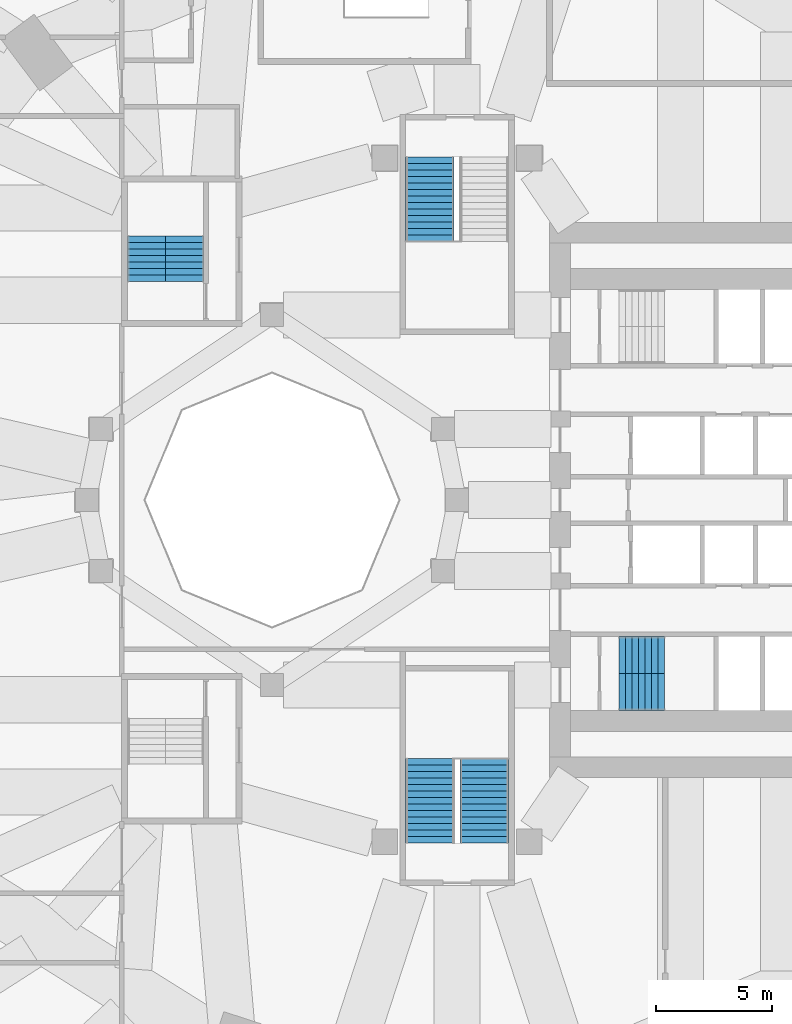
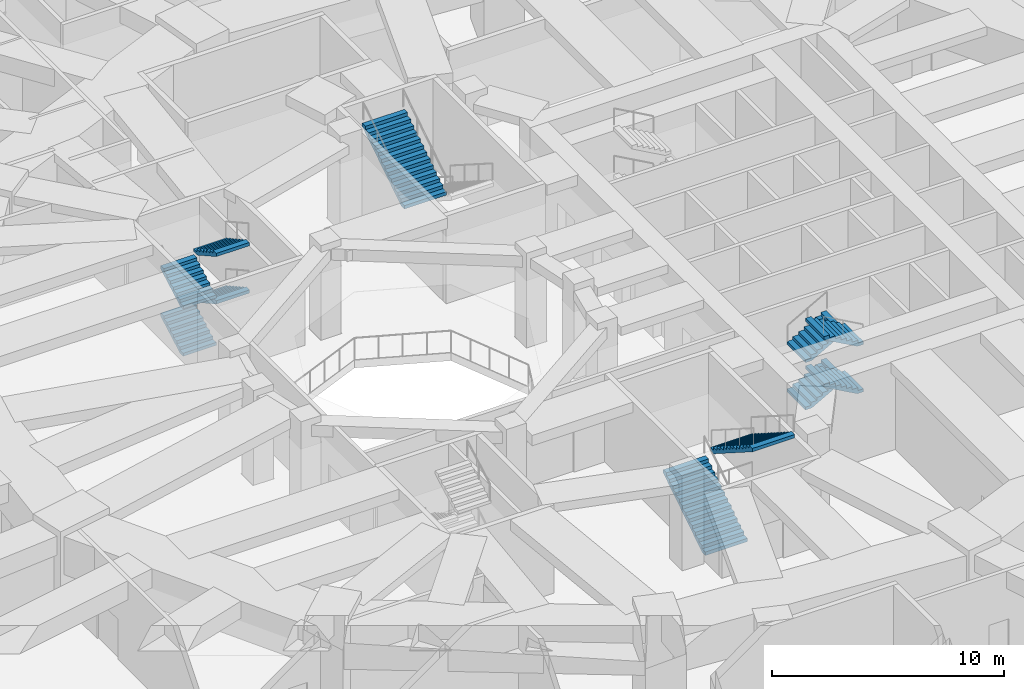
# One storey, part 25 of 30: 11 stair flights, 4 elements without a shape of their own.
"""IFC4 building model written with IfcOpenShell, lengths in metres."""

import ifcopenshell
import ifcopenshell.guid

model = None  # the IFC model being written
_history = None  # IfcOwnerHistory: only IFC2X3 demands one
_inside = {}  # id of a spatial element -> (the spatial element, [elements in it])
_under = {}  # id of a project, library or spatial element -> (it, [spatial elements below it])
_declared = {}  # id of a project -> (the project, [libraries it declares])
_typed = {}  # id of a type object -> (the type object, [elements of that type])
_made_of = {}  # id of a material, layer set ... -> (it, [elements and type objects made of it])


def new_model(schema):
    """Start an empty IFC model of exactly this schema.

    Asked for "IFC4X3", IfcOpenShell would pick the latest addendum, in which some entities
    have other attributes; the version numbers below select the first issue.
    IFC2X3 requires an IfcOwnerHistory on every rooted entity: one is made here for all.
    """
    global model, _history
    if schema == "IFC4X3":
        model = ifcopenshell.file(schema_version=(4, 3, 0, 0))
    else:
        model = ifcopenshell.file(schema=schema)
    _inside.clear()
    _under.clear()
    _declared.clear()
    _typed.clear()
    _made_of.clear()
    _history = None
    if model.schema == "IFC2X3":
        org = make("IfcOrganization", Name="unknown")
        user = make(
            "IfcPersonAndOrganization",
            ThePerson=make("IfcPerson", FamilyName="unknown"),
            TheOrganization=org,
        )
        app = make(
            "IfcApplication",
            ApplicationDeveloper=org,
            Version="unknown",
            ApplicationFullName="unknown",
            ApplicationIdentifier="unknown",
        )
        _history = make(
            "IfcOwnerHistory",
            OwningUser=user,
            OwningApplication=app,
            ChangeAction="ADDED",
            CreationDate=0,
        )
    return model


def make(cls, **values):
    """One entity of the class cls with the attributes given. An attribute that is None is left unset."""
    return model.create_entity(
        cls, **{name: value for name, value in values.items() if value is not None}
    )


def rooted(cls, **values):
    """An entity with a GlobalId (a new one), such as an element, a storey or a relation."""
    return make(cls, GlobalId=ifcopenshell.guid.new(), OwnerHistory=_history, **values)


def si_unit(unit_type, name, prefix=None):
    """IfcSIUnit, for example si_unit("LENGTHUNIT", "METRE", prefix="MILLI")."""
    return make("IfcSIUnit", UnitType=unit_type, Prefix=prefix, Name=name)


def assignment(units):
    """IfcUnitAssignment: the units of a project."""
    return None if units is None else make("IfcUnitAssignment", Units=units)


def point(xyz):
    """IfcCartesianPoint."""
    return None if xyz is None else make("IfcCartesianPoint", Coordinates=xyz)


def direction(xyz):
    """IfcDirection."""
    return None if xyz is None else make("IfcDirection", DirectionRatios=xyz)


def frame(location, z_axis=None, x_axis=None):
    """IfcAxis2Placement3D, a coordinate frame: its origin and axes. An axis left out is left unset."""
    return make(
        "IfcAxis2Placement3D",
        Location=point(location),
        Axis=direction(z_axis),
        RefDirection=direction(x_axis),
    )


def origin():
    """The frame at (0, 0, 0) with its axes left unset."""
    return frame((0.0, 0.0, 0.0))


def place(relative_to, where):
    """IfcLocalPlacement: puts the frame where relative to a parent placement (None: the world)."""
    return make(
        "IfcLocalPlacement", PlacementRelTo=relative_to, RelativePlacement=where
    )


def context(
    kind, dimensions, precision=None, world=None, true_north=None, identifier=None
):
    """IfcGeometricRepresentationContext, for example the 3D "Model" context."""
    return make(
        "IfcGeometricRepresentationContext",
        ContextIdentifier=identifier,
        ContextType=kind,
        CoordinateSpaceDimension=dimensions,
        Precision=precision,
        WorldCoordinateSystem=world,
        TrueNorth=true_north,
    )


def subcontext(parent, identifier, kind, view, scale=None):
    """IfcGeometricRepresentationSubContext, for example "Body" below "Model"."""
    return make(
        "IfcGeometricRepresentationSubContext",
        ContextIdentifier=identifier,
        ContextType=kind,
        ParentContext=parent,
        TargetScale=scale,
        TargetView=view,
    )


def project(units=None, contexts=None):
    """IfcProject with its units and contexts."""
    return rooted(
        "IfcProject",
        Name="project",
        RepresentationContexts=contexts,
        UnitsInContext=assignment(units),
    )


def spatial(cls, under=None, at=None, **own):
    """A site, building, storey or space (cls), placed at a placement, below another one or the project."""
    s = rooted(cls, ObjectPlacement=at, **own)
    if under is not None:
        _under.setdefault(under.id(), (under, []))[1].append(s)
    return s


def polyline(points):
    """IfcPolyline through the points."""
    return make("IfcPolyline", Points=[point(p) for p in points])


def outline(outer, holes=None, kind="AREA"):
    """IfcArbitraryClosedProfileDef: a profile drawn as a closed curve; with holes, ...WithVoids."""
    if holes is None:
        return make("IfcArbitraryClosedProfileDef", ProfileType=kind, OuterCurve=outer)
    return make(
        "IfcArbitraryProfileDefWithVoids",
        ProfileType=kind,
        OuterCurve=outer,
        InnerCurves=holes,
    )


def extrude(swept, where, along, depth):
    """IfcExtrudedAreaSolid: the profile swept, set in the frame where, extruded along a direction by depth."""
    return make(
        "IfcExtrudedAreaSolid",
        SweptArea=swept,
        Position=where,
        ExtrudedDirection=direction(along),
        Depth=depth,
    )


def shape(context_of_items, identifier, shape_type, items):
    """IfcShapeRepresentation: the items that make up one representation, for example the "Body"."""
    return make(
        "IfcShapeRepresentation",
        ContextOfItems=context_of_items,
        RepresentationIdentifier=identifier,
        RepresentationType=shape_type,
        Items=items,
    )


def material(Name=None, Category=None):
    """IfcMaterial."""
    return make("IfcMaterial", Name=Name, Category=Category)


def made_of(thing, what):
    """Note that an element or type object is made of a material, layer set ...; save() writes the relation."""
    if what is not None:
        _made_of.setdefault(what.id(), (what, []))[1].append(thing)
    return thing


def type_object(cls, material=None, **own):
    """A type object (cls), such as IfcWallType, which elements share."""
    return made_of(rooted(cls, **own), material)


def element(
    cls,
    number,
    at=None,
    inside=None,
    cuts=None,
    type_object=None,
    material=None,
    context=None,
    identifier="Body",
    shape_type=None,
    held_by="IfcProductDefinitionShape",
    body=None,
    shapes=None,
    **own,
):
    """One element of the class cls, such as IfcWall. Its Tag is "e" and its number.

    at: its placement. inside: the storey or other place that contains it. cuts: it is an
    opening in that element (IfcRelVoidsElement). A single representation is given by context,
    identifier, shape_type and body (its items); several are given by shapes. held_by: the class
    of the entity that holds the representations. save() writes the other relations.
    """
    e = rooted(cls, Tag="e%d" % number, ObjectPlacement=at, **own)
    if body is not None:
        shapes = [shape(context, identifier, shape_type, body)]
    if shapes is not None:
        e.Representation = make(held_by, Representations=shapes)
    if inside is not None:
        _inside.setdefault(inside.id(), (inside, []))[1].append(e)
    if cuts is not None:
        rooted(
            "IfcRelVoidsElement", RelatingBuildingElement=cuts, RelatedOpeningElement=e
        )
    if type_object is not None:
        _typed.setdefault(type_object.id(), (type_object, []))[1].append(e)
    return made_of(e, material)


def aggregate(whole, parts):
    """IfcRelAggregates: a whole, such as a stair, and the parts it consists of."""
    return rooted("IfcRelAggregates", RelatingObject=whole, RelatedObjects=parts)


def save(model, path):
    """Write the relations noted so far, then the file.

    IfcRelAggregates (storeys below a building ...), IfcRelContainedInSpatialStructure (elements
    in a storey), IfcRelDefinesByType, IfcRelAssociatesMaterial and IfcRelDeclares: one each for
    every whole, place, type object, material and project.
    """
    for whole, parts in _under.values():
        aggregate(whole, parts)
    for where, things in _inside.values():
        rooted(
            "IfcRelContainedInSpatialStructure",
            RelatedElements=things,
            RelatingStructure=where,
        )
    for kind, things in _typed.values():
        rooted("IfcRelDefinesByType", RelatedObjects=things, RelatingType=kind)
    for what, things in _made_of.values():
        rooted("IfcRelAssociatesMaterial", RelatedObjects=things, RelatingMaterial=what)
    for by, libraries in _declared.values():
        rooted("IfcRelDeclares", RelatingContext=by, RelatedDefinitions=libraries)
    model.write(path)


model = new_model("IFC4")

# Units and contexts
model_context = context("Model", 3, precision=1e-05, world=origin(), true_north=direction((0.0, 1.0)))
body_context = subcontext(model_context, "Body", "Model", "MODEL_VIEW")
ifc_project = project(units=[si_unit("LENGTHUNIT", "METRE"), si_unit("AREAUNIT", "SQUARE_METRE"), si_unit("VOLUMEUNIT", "CUBIC_METRE"), si_unit("PLANEANGLEUNIT", "RADIAN"), si_unit("MASSUNIT", "GRAM", prefix="KILO")], contexts=[model_context])

# Site, building, storey
site_placement = place(None, origin())
site = spatial("IfcSite", under=ifc_project, at=site_placement, CompositionType="ELEMENT")
building_placement = place(site_placement, origin())
building = spatial("IfcBuilding", under=site, at=building_placement, Name="Taillehof Tower", CompositionType="ELEMENT")
storey_placement = place(building_placement, frame((0.0, 0.0, 12.5)))
storey = spatial("IfcBuildingStorey", under=building, at=storey_placement, Name="L02", CompositionType="ELEMENT", Elevation=12.5)

# Stair, stair flights
ifc_material_1 = material(Name="Concrete C40/50", Category="concrete")
stair_type_1 = type_object("IfcStairType", Name="Exit stair half-turn", PredefinedType="HALF_TURN_STAIR", material=ifc_material_1)
stair_1_placement = place(storey_placement, origin())
stair_1 = element("IfcStair", 1, at=stair_1_placement, inside=storey, type_object=stair_type_1, Name="Exit stair S2", PredefinedType="HALF_TURN_STAIR")
ifc_material_2 = material(Name="Concrete C40/50", Category="concrete")
stair_flight_type_1 = type_object("IfcStairFlightType", Name="Stair flight 1600 riser 156.2 going 280", PredefinedType="STRAIGHT", material=ifc_material_2)
stair_flight_1_placement = place(storey_placement, frame((7.0, -6.699951171875, 0.0), z_axis=(0.0, 0.0, 1.0), x_axis=(1.0, 0.0, 0.0)))
stair_flight_1 = element("IfcStairFlight", 2, at=stair_flight_1_placement, type_object=stair_flight_type_1, Name="S2 flight 1", NumberOfRisers=8, NumberOfTreads=7, PredefinedType="STRAIGHT", RiserHeight=0.15625, TreadLength=0.28, context=body_context, shape_type="SweptSolid", body=[
    extrude(outline(polyline([(0.0, 0.0), (0.0, 0.00634765625), (0.0, 0.012451171875), (0.0, 0.018798828125), (0.0, 0.02490234375), (0.0, 0.03125), (0.0, 0.03759765625), (0.0, 0.043701171875), (0.0, 0.050048828125), (0.0, 0.05615234375), (0.0, 0.0625), (0.0, 0.06884765625), (0.0, 0.074951171875), (0.0, 0.081298828125), (0.0, 0.08740234375), (0.0, 0.09375), (0.0, 0.10009765625), (0.0, 0.106201171875), (0.0, 0.112548828125), (0.0, 0.11865234375), (0.0, 0.125), (0.0, 0.13134765625), (0.0, 0.137451171875), (0.0, 0.143798828125), (0.0, 0.14990234375), (0.0, 0.15625), (0.280029296875, 0.15625), (0.280029296875, 0.3125), (0.56005859375, 0.3125), (0.56005859375, 0.46875), (0.840087890625, 0.46875), (0.840087890625, 0.625), (1.1201171875, 0.625), (1.1201171875, 0.78125), (1.39990234375, 0.78125), (1.39990234375, 0.9375), (1.679931640625, 0.9375), (1.679931640625, 1.09375), (1.9599609375, 1.09375), (1.9599609375, 1.0869140625), (1.9599609375, 1.080078125), (1.9599609375, 1.0732421875), (1.9599609375, 1.066162109375), (1.9599609375, 1.059326171875), (1.9599609375, 1.052490234375), (1.9599609375, 1.045654296875), (1.9599609375, 1.038818359375), (1.9599609375, 1.031982421875), (1.9599609375, 1.025146484375), (1.9599609375, 1.018310546875), (1.9599609375, 1.01123046875), (1.9599609375, 1.00439453125), (1.9599609375, 0.99755859375), (1.9599609375, 0.99072265625), (1.9599609375, 0.98388671875), (1.9599609375, 0.97705078125), (1.9599609375, 0.97021484375), (1.9599609375, 0.96337890625), (1.9599609375, 0.956298828125), (1.9599609375, 0.949462890625), (1.9599609375, 0.942626953125), (1.9599609375, 0.935791015625), (1.9599609375, 0.928955078125), (1.9599609375, 0.922119140625), (0.3076171875, 0.0), (0.0, 0.0)])), frame((0.0, 0.800048828125, 0.0), z_axis=(0.0, -1.0, 0.0), x_axis=(1.0, 0.0, 0.0)), (0.0, 0.0, 1.0), 1.6),
])
stair_flight_2_placement = place(storey_placement, frame((8.9599609375, -8.300048828125, 1.25), z_axis=(0.0, 0.0, 1.0), x_axis=(-1.0, 0.0, 0.0)))
stair_flight_2 = element("IfcStairFlight", 3, at=stair_flight_2_placement, type_object=stair_flight_type_1, Name="S2 flight 2", NumberOfRisers=8, NumberOfTreads=7, PredefinedType="STRAIGHT", RiserHeight=0.15625, TreadLength=0.28, context=body_context, shape_type="SweptSolid", body=[
    extrude(outline(polyline([(0.0, 0.0), (0.0, 0.00634765625), (0.0, 0.012451171875), (0.0, 0.018798828125), (0.0, 0.02490234375), (0.0, 0.03125), (0.0, 0.03759765625), (0.0, 0.043701171875), (0.0, 0.050048828125), (0.0, 0.05615234375), (0.0, 0.0625), (0.0, 0.06884765625), (0.0, 0.074951171875), (0.0, 0.081298828125), (0.0, 0.08740234375), (0.0, 0.09375), (0.0, 0.10009765625), (0.0, 0.106201171875), (0.0, 0.112548828125), (0.0, 0.11865234375), (0.0, 0.125), (0.0, 0.13134765625), (0.0, 0.137451171875), (0.0, 0.143798828125), (0.0, 0.14990234375), (0.0, 0.15625), (0.280029296875, 0.15625), (0.280029296875, 0.3125), (0.56005859375, 0.3125), (0.56005859375, 0.46875), (0.840087890625, 0.46875), (0.840087890625, 0.625), (1.1201171875, 0.625), (1.1201171875, 0.78125), (1.39990234375, 0.78125), (1.39990234375, 0.9375), (1.679931640625, 0.9375), (1.679931640625, 1.09375), (1.9599609375, 1.09375), (1.9599609375, 1.0869140625), (1.9599609375, 1.080078125), (1.9599609375, 1.0732421875), (1.9599609375, 1.066162109375), (1.9599609375, 1.059326171875), (1.9599609375, 1.052490234375), (1.9599609375, 1.045654296875), (1.9599609375, 1.038818359375), (1.9599609375, 1.031982421875), (1.9599609375, 1.025146484375), (1.9599609375, 1.018310546875), (1.9599609375, 1.01123046875), (1.9599609375, 1.00439453125), (1.9599609375, 0.99755859375), (1.9599609375, 0.99072265625), (1.9599609375, 0.98388671875), (1.9599609375, 0.97705078125), (1.9599609375, 0.97021484375), (1.9599609375, 0.96337890625), (1.9599609375, 0.956298828125), (1.9599609375, 0.949462890625), (1.9599609375, 0.942626953125), (1.9599609375, 0.935791015625), (1.9599609375, 0.928955078125), (1.9599609375, 0.922119140625), (0.3076171875, 0.0), (0.0, 0.0)])), frame((0.0, 0.800048828125, 0.0), z_axis=(0.0, -1.0, 0.0), x_axis=(1.0, 0.0, 0.0)), (0.0, 0.0, 1.0), 1.6),
])
stair_flight_3_placement = place(storey_placement, frame((7.0, -6.699951171875, 2.5), z_axis=(0.0, 0.0, 1.0), x_axis=(1.0, 0.0, 0.0)))
stair_flight_3 = element("IfcStairFlight", 4, at=stair_flight_3_placement, type_object=stair_flight_type_1, Name="S2 flight 3", NumberOfRisers=8, NumberOfTreads=7, PredefinedType="STRAIGHT", RiserHeight=0.15625, TreadLength=0.28, context=body_context, shape_type="SweptSolid", body=[
    extrude(outline(polyline([(0.0, 0.0), (0.0, 0.00634765625), (0.0, 0.012451171875), (0.0, 0.018798828125), (0.0, 0.02490234375), (0.0, 0.03125), (0.0, 0.03759765625), (0.0, 0.043701171875), (0.0, 0.050048828125), (0.0, 0.05615234375), (0.0, 0.0625), (0.0, 0.06884765625), (0.0, 0.074951171875), (0.0, 0.081298828125), (0.0, 0.08740234375), (0.0, 0.09375), (0.0, 0.10009765625), (0.0, 0.106201171875), (0.0, 0.112548828125), (0.0, 0.11865234375), (0.0, 0.125), (0.0, 0.13134765625), (0.0, 0.137451171875), (0.0, 0.143798828125), (0.0, 0.14990234375), (0.0, 0.15625), (0.280029296875, 0.15625), (0.280029296875, 0.3125), (0.56005859375, 0.3125), (0.56005859375, 0.46875), (0.840087890625, 0.46875), (0.840087890625, 0.625), (1.1201171875, 0.625), (1.1201171875, 0.78125), (1.39990234375, 0.78125), (1.39990234375, 0.9375), (1.679931640625, 0.9375), (1.679931640625, 1.09375), (1.9599609375, 1.09375), (1.9599609375, 1.0869140625), (1.9599609375, 1.080078125), (1.9599609375, 1.0732421875), (1.9599609375, 1.066162109375), (1.9599609375, 1.059326171875), (1.9599609375, 1.052490234375), (1.9599609375, 1.045654296875), (1.9599609375, 1.038818359375), (1.9599609375, 1.031982421875), (1.9599609375, 1.025146484375), (1.9599609375, 1.018310546875), (1.9599609375, 1.01123046875), (1.9599609375, 1.00439453125), (1.9599609375, 0.99755859375), (1.9599609375, 0.99072265625), (1.9599609375, 0.98388671875), (1.9599609375, 0.97705078125), (1.9599609375, 0.97021484375), (1.9599609375, 0.96337890625), (1.9599609375, 0.956298828125), (1.9599609375, 0.949462890625), (1.9599609375, 0.942626953125), (1.9599609375, 0.935791015625), (1.9599609375, 0.928955078125), (1.9599609375, 0.922119140625), (0.3076171875, 0.0), (0.0, 0.0)])), frame((0.0, 0.800048828125, 0.0), z_axis=(0.0, -1.0, 0.0), x_axis=(1.0, 0.0, 0.0)), (0.0, 0.0, 1.0), 1.6),
])
stair_flight_4_placement = place(storey_placement, frame((8.9599609375, -8.300048828125, 3.75), z_axis=(0.0, 0.0, 1.0), x_axis=(-1.0, 0.0, 0.0)))
stair_flight_4 = element("IfcStairFlight", 5, at=stair_flight_4_placement, type_object=stair_flight_type_1, Name="S2 flight 4", NumberOfRisers=8, NumberOfTreads=7, PredefinedType="STRAIGHT", RiserHeight=0.15625, TreadLength=0.28, context=body_context, shape_type="SweptSolid", body=[
    extrude(outline(polyline([(0.0, 0.0), (0.0, 0.00634765625), (0.0, 0.012451171875), (0.0, 0.018798828125), (0.0, 0.02490234375), (0.0, 0.03125), (0.0, 0.03759765625), (0.0, 0.043701171875), (0.0, 0.050048828125), (0.0, 0.05615234375), (0.0, 0.0625), (0.0, 0.06884765625), (0.0, 0.074951171875), (0.0, 0.081298828125), (0.0, 0.08740234375), (0.0, 0.09375), (0.0, 0.10009765625), (0.0, 0.106201171875), (0.0, 0.112548828125), (0.0, 0.11865234375), (0.0, 0.125), (0.0, 0.13134765625), (0.0, 0.137451171875), (0.0, 0.143798828125), (0.0, 0.14990234375), (0.0, 0.15625), (0.280029296875, 0.15625), (0.280029296875, 0.3125), (0.56005859375, 0.3125), (0.56005859375, 0.46875), (0.840087890625, 0.46875), (0.840087890625, 0.625), (1.1201171875, 0.625), (1.1201171875, 0.78125), (1.39990234375, 0.78125), (1.39990234375, 0.9375), (1.679931640625, 0.9375), (1.679931640625, 1.09375), (1.9599609375, 1.09375), (1.9599609375, 1.0869140625), (1.9599609375, 1.080078125), (1.9599609375, 1.0732421875), (1.9599609375, 1.066162109375), (1.9599609375, 1.059326171875), (1.9599609375, 1.052490234375), (1.9599609375, 1.045654296875), (1.9599609375, 1.038818359375), (1.9599609375, 1.031982421875), (1.9599609375, 1.025146484375), (1.9599609375, 1.018310546875), (1.9599609375, 1.01123046875), (1.9599609375, 1.00439453125), (1.9599609375, 0.99755859375), (1.9599609375, 0.99072265625), (1.9599609375, 0.98388671875), (1.9599609375, 0.97705078125), (1.9599609375, 0.97021484375), (1.9599609375, 0.96337890625), (1.9599609375, 0.956298828125), (1.9599609375, 0.949462890625), (1.9599609375, 0.942626953125), (1.9599609375, 0.935791015625), (1.9599609375, 0.928955078125), (1.9599609375, 0.922119140625), (0.3076171875, 0.0), (0.0, 0.0)])), frame((0.0, 0.800048828125, 0.0), z_axis=(0.0, -1.0, 0.0), x_axis=(1.0, 0.0, 0.0)), (0.0, 0.0, 1.0), 1.6),
])
aggregate(stair_1, [stair_flight_1, stair_flight_2, stair_flight_3, stair_flight_4])

stair_2_placement = place(storey_placement, origin())
stair_2 = element("IfcStair", 6, at=stair_2_placement, inside=storey, type_object=stair_type_1, Name="Exit stair S3", PredefinedType="HALF_TURN_STAIR")
ifc_material_3 = material(Name="Concrete C40/50", Category="concrete")
stair_flight_type_2 = type_object("IfcStairFlightType", Name="Stair flight 1650 riser 156.2 going 280", PredefinedType="STRAIGHT", material=ifc_material_3)
stair_flight_5_placement = place(storey_placement, frame((-13.425048828125, 9.449951171875, 0.0), z_axis=(0.0, 0.0, 1.0), x_axis=(0.0, 1.0, 0.0)))
stair_flight_5 = element("IfcStairFlight", 7, at=stair_flight_5_placement, type_object=stair_flight_type_2, Name="S3 flight 1", NumberOfRisers=8, NumberOfTreads=7, PredefinedType="STRAIGHT", RiserHeight=0.15625, TreadLength=0.28, context=body_context, shape_type="SweptSolid", body=[
    extrude(outline(polyline([(0.0, 0.0), (0.0, 0.00634765625), (0.0, 0.012451171875), (0.0, 0.018798828125), (0.0, 0.02490234375), (0.0, 0.03125), (0.0, 0.03759765625), (0.0, 0.043701171875), (0.0, 0.050048828125), (0.0, 0.05615234375), (0.0, 0.0625), (0.0, 0.06884765625), (0.0, 0.074951171875), (0.0, 0.081298828125), (0.0, 0.08740234375), (0.0, 0.09375), (0.0, 0.10009765625), (0.0, 0.106201171875), (0.0, 0.112548828125), (0.0, 0.11865234375), (0.0, 0.125), (0.0, 0.13134765625), (0.0, 0.137451171875), (0.0, 0.143798828125), (0.0, 0.14990234375), (0.0, 0.15625), (0.280029296875, 0.15625), (0.280029296875, 0.3125), (0.56005859375, 0.3125), (0.56005859375, 0.46875), (0.840087890625, 0.46875), (0.840087890625, 0.625), (1.1201171875, 0.625), (1.1201171875, 0.78125), (1.39990234375, 0.78125), (1.39990234375, 0.9375), (1.679931640625, 0.9375), (1.679931640625, 1.09375), (1.9599609375, 1.09375), (1.9599609375, 1.0869140625), (1.9599609375, 1.080078125), (1.9599609375, 1.0732421875), (1.9599609375, 1.066162109375), (1.9599609375, 1.059326171875), (1.9599609375, 1.052490234375), (1.9599609375, 1.045654296875), (1.9599609375, 1.038818359375), (1.9599609375, 1.031982421875), (1.9599609375, 1.025146484375), (1.9599609375, 1.018310546875), (1.9599609375, 1.01123046875), (1.9599609375, 1.00439453125), (1.9599609375, 0.99755859375), (1.9599609375, 0.99072265625), (1.9599609375, 0.98388671875), (1.9599609375, 0.97705078125), (1.9599609375, 0.97021484375), (1.9599609375, 0.96337890625), (1.9599609375, 0.956298828125), (1.9599609375, 0.949462890625), (1.9599609375, 0.942626953125), (1.9599609375, 0.935791015625), (1.9599609375, 0.928955078125), (1.9599609375, 0.922119140625), (0.3076171875, 0.0), (0.0, 0.0)])), frame((0.0, 0.824951171875, 0.0), z_axis=(0.0, -1.0, 0.0), x_axis=(1.0, 0.0, 0.0)), (0.0, 0.0, 1.0), 1.65),
])
stair_flight_6_placement = place(storey_placement, frame((-11.77490234375, 11.409912109375, 1.25), z_axis=(0.0, 0.0, 1.0), x_axis=(0.0, -1.0, 0.0)))
stair_flight_6 = element("IfcStairFlight", 8, at=stair_flight_6_placement, type_object=stair_flight_type_2, Name="S3 flight 2", NumberOfRisers=8, NumberOfTreads=7, PredefinedType="STRAIGHT", RiserHeight=0.15625, TreadLength=0.28, context=body_context, shape_type="SweptSolid", body=[
    extrude(outline(polyline([(0.0, 0.0), (0.0, 0.00634765625), (0.0, 0.012451171875), (0.0, 0.018798828125), (0.0, 0.02490234375), (0.0, 0.03125), (0.0, 0.03759765625), (0.0, 0.043701171875), (0.0, 0.050048828125), (0.0, 0.05615234375), (0.0, 0.0625), (0.0, 0.06884765625), (0.0, 0.074951171875), (0.0, 0.081298828125), (0.0, 0.08740234375), (0.0, 0.09375), (0.0, 0.10009765625), (0.0, 0.106201171875), (0.0, 0.112548828125), (0.0, 0.11865234375), (0.0, 0.125), (0.0, 0.13134765625), (0.0, 0.137451171875), (0.0, 0.143798828125), (0.0, 0.14990234375), (0.0, 0.15625), (0.280029296875, 0.15625), (0.280029296875, 0.3125), (0.56005859375, 0.3125), (0.56005859375, 0.46875), (0.840087890625, 0.46875), (0.840087890625, 0.625), (1.1201171875, 0.625), (1.1201171875, 0.78125), (1.39990234375, 0.78125), (1.39990234375, 0.9375), (1.679931640625, 0.9375), (1.679931640625, 1.09375), (1.9599609375, 1.09375), (1.9599609375, 1.0869140625), (1.9599609375, 1.080078125), (1.9599609375, 1.0732421875), (1.9599609375, 1.066162109375), (1.9599609375, 1.059326171875), (1.9599609375, 1.052490234375), (1.9599609375, 1.045654296875), (1.9599609375, 1.038818359375), (1.9599609375, 1.031982421875), (1.9599609375, 1.025146484375), (1.9599609375, 1.018310546875), (1.9599609375, 1.01123046875), (1.9599609375, 1.00439453125), (1.9599609375, 0.99755859375), (1.9599609375, 0.99072265625), (1.9599609375, 0.98388671875), (1.9599609375, 0.97705078125), (1.9599609375, 0.97021484375), (1.9599609375, 0.96337890625), (1.9599609375, 0.956298828125), (1.9599609375, 0.949462890625), (1.9599609375, 0.942626953125), (1.9599609375, 0.935791015625), (1.9599609375, 0.928955078125), (1.9599609375, 0.922119140625), (0.3076171875, 0.0), (0.0, 0.0)])), frame((0.0, 0.824951171875, 0.0), z_axis=(0.0, -1.0, 0.0), x_axis=(1.0, 0.0, 0.0)), (0.0, 0.0, 1.0), 1.65),
])
stair_flight_7_placement = place(storey_placement, frame((-13.425048828125, 9.449951171875, 2.5), z_axis=(0.0, 0.0, 1.0), x_axis=(0.0, 1.0, 0.0)))
stair_flight_7 = element("IfcStairFlight", 9, at=stair_flight_7_placement, type_object=stair_flight_type_2, Name="S3 flight 3", NumberOfRisers=8, NumberOfTreads=7, PredefinedType="STRAIGHT", RiserHeight=0.15625, TreadLength=0.28, context=body_context, shape_type="SweptSolid", body=[
    extrude(outline(polyline([(0.0, 0.0), (0.0, 0.00634765625), (0.0, 0.012451171875), (0.0, 0.018798828125), (0.0, 0.02490234375), (0.0, 0.03125), (0.0, 0.03759765625), (0.0, 0.043701171875), (0.0, 0.050048828125), (0.0, 0.05615234375), (0.0, 0.0625), (0.0, 0.06884765625), (0.0, 0.074951171875), (0.0, 0.081298828125), (0.0, 0.08740234375), (0.0, 0.09375), (0.0, 0.10009765625), (0.0, 0.106201171875), (0.0, 0.112548828125), (0.0, 0.11865234375), (0.0, 0.125), (0.0, 0.13134765625), (0.0, 0.137451171875), (0.0, 0.143798828125), (0.0, 0.14990234375), (0.0, 0.15625), (0.280029296875, 0.15625), (0.280029296875, 0.3125), (0.56005859375, 0.3125), (0.56005859375, 0.46875), (0.840087890625, 0.46875), (0.840087890625, 0.625), (1.1201171875, 0.625), (1.1201171875, 0.78125), (1.39990234375, 0.78125), (1.39990234375, 0.9375), (1.679931640625, 0.9375), (1.679931640625, 1.09375), (1.9599609375, 1.09375), (1.9599609375, 1.0869140625), (1.9599609375, 1.080078125), (1.9599609375, 1.0732421875), (1.9599609375, 1.066162109375), (1.9599609375, 1.059326171875), (1.9599609375, 1.052490234375), (1.9599609375, 1.045654296875), (1.9599609375, 1.038818359375), (1.9599609375, 1.031982421875), (1.9599609375, 1.025146484375), (1.9599609375, 1.018310546875), (1.9599609375, 1.01123046875), (1.9599609375, 1.00439453125), (1.9599609375, 0.99755859375), (1.9599609375, 0.99072265625), (1.9599609375, 0.98388671875), (1.9599609375, 0.97705078125), (1.9599609375, 0.97021484375), (1.9599609375, 0.96337890625), (1.9599609375, 0.956298828125), (1.9599609375, 0.949462890625), (1.9599609375, 0.942626953125), (1.9599609375, 0.935791015625), (1.9599609375, 0.928955078125), (1.9599609375, 0.922119140625), (0.3076171875, 0.0), (0.0, 0.0)])), frame((0.0, 0.824951171875, 0.0), z_axis=(0.0, -1.0, 0.0), x_axis=(1.0, 0.0, 0.0)), (0.0, 0.0, 1.0), 1.65),
])
stair_flight_8_placement = place(storey_placement, frame((-11.77490234375, 11.409912109375, 3.75), z_axis=(0.0, 0.0, 1.0), x_axis=(0.0, -1.0, 0.0)))
stair_flight_8 = element("IfcStairFlight", 10, at=stair_flight_8_placement, type_object=stair_flight_type_2, Name="S3 flight 4", NumberOfRisers=8, NumberOfTreads=7, PredefinedType="STRAIGHT", RiserHeight=0.15625, TreadLength=0.28, context=body_context, shape_type="SweptSolid", body=[
    extrude(outline(polyline([(0.0, 0.0), (0.0, 0.00634765625), (0.0, 0.012451171875), (0.0, 0.018798828125), (0.0, 0.02490234375), (0.0, 0.03125), (0.0, 0.03759765625), (0.0, 0.043701171875), (0.0, 0.050048828125), (0.0, 0.05615234375), (0.0, 0.0625), (0.0, 0.06884765625), (0.0, 0.074951171875), (0.0, 0.081298828125), (0.0, 0.08740234375), (0.0, 0.09375), (0.0, 0.10009765625), (0.0, 0.106201171875), (0.0, 0.112548828125), (0.0, 0.11865234375), (0.0, 0.125), (0.0, 0.13134765625), (0.0, 0.137451171875), (0.0, 0.143798828125), (0.0, 0.14990234375), (0.0, 0.15625), (0.280029296875, 0.15625), (0.280029296875, 0.3125), (0.56005859375, 0.3125), (0.56005859375, 0.46875), (0.840087890625, 0.46875), (0.840087890625, 0.625), (1.1201171875, 0.625), (1.1201171875, 0.78125), (1.39990234375, 0.78125), (1.39990234375, 0.9375), (1.679931640625, 0.9375), (1.679931640625, 1.09375), (1.9599609375, 1.09375), (1.9599609375, 1.0869140625), (1.9599609375, 1.080078125), (1.9599609375, 1.0732421875), (1.9599609375, 1.066162109375), (1.9599609375, 1.059326171875), (1.9599609375, 1.052490234375), (1.9599609375, 1.045654296875), (1.9599609375, 1.038818359375), (1.9599609375, 1.031982421875), (1.9599609375, 1.025146484375), (1.9599609375, 1.018310546875), (1.9599609375, 1.01123046875), (1.9599609375, 1.00439453125), (1.9599609375, 0.99755859375), (1.9599609375, 0.99072265625), (1.9599609375, 0.98388671875), (1.9599609375, 0.97705078125), (1.9599609375, 0.97021484375), (1.9599609375, 0.96337890625), (1.9599609375, 0.956298828125), (1.9599609375, 0.949462890625), (1.9599609375, 0.942626953125), (1.9599609375, 0.935791015625), (1.9599609375, 0.928955078125), (1.9599609375, 0.922119140625), (0.3076171875, 0.0), (0.0, 0.0)])), frame((0.0, 0.824951171875, 0.0), z_axis=(0.0, -1.0, 0.0), x_axis=(1.0, 0.0, 0.0)), (0.0, 0.0, 1.0), 1.65),
])
aggregate(stair_2, [stair_flight_5, stair_flight_6, stair_flight_7, stair_flight_8])

# Stair, stair flight
ifc_material_4 = material(Name="Concrete C30/37", Category="concrete")
stair_type_2 = type_object("IfcStairType", Name="Escape stair 2100 mm", PredefinedType="HALF_TURN_STAIR", material=ifc_material_4)
stair_3_placement = place(storey_placement, origin())
stair_3 = element("IfcStair", 11, at=stair_3_placement, inside=storey, type_object=stair_type_2, Name="Escape stair P1", PredefinedType="HALF_TURN_STAIR")
ifc_material_5 = material(Name="Concrete C30/37", Category="concrete")
stair_flight_type_3 = type_object("IfcStairFlightType", Name="Stair flight 2100 mm", PredefinedType="STRAIGHT", material=ifc_material_5)
stair_flight_9_placement = place(storey_placement, frame((-1.175048828125, 11.179931640625, 2.5), z_axis=(0.0, 0.0, 1.0), x_axis=(0.0, 1.0, 0.0)))
stair_flight_9 = element("IfcStairFlight", 12, at=stair_flight_9_placement, type_object=stair_flight_type_3, Name="P1 flight 2", NumberOfRisers=14, NumberOfTreads=13, PredefinedType="STRAIGHT", RiserHeight=0.178571429, TreadLength=0.28, context=body_context, shape_type="SweptSolid", body=[
    extrude(outline(polyline([(0.0, 0.0), (0.0, 0.004150390625), (0.0, 0.00830078125), (0.0, 0.012451171875), (0.0, 0.0166015625), (0.0, 0.020751953125), (0.0, 0.02490234375), (0.0, 0.029052734375), (0.0, 0.033203125), (0.0, 0.037353515625), (0.0, 0.04150390625), (0.0, 0.045654296875), (0.0, 0.0498046875), (0.0, 0.053955078125), (0.0, 0.05810546875), (0.0, 0.062255859375), (0.0, 0.06640625), (0.0, 0.070556640625), (0.0, 0.07470703125), (0.0, 0.078857421875), (0.0, 0.0830078125), (0.0, 0.087158203125), (0.0, 0.09130859375), (0.0, 0.095458984375), (0.0, 0.099609375), (0.0, 0.103759765625), (0.0, 0.10791015625), (0.0, 0.112060546875), (0.0, 0.1162109375), (0.0, 0.120361328125), (0.0, 0.12451171875), (0.0, 0.128662109375), (0.0, 0.1328125), (0.0, 0.136962890625), (0.0, 0.14111328125), (0.0, 0.145263671875), (0.0, 0.1494140625), (0.0, 0.153564453125), (0.0, 0.15771484375), (0.0, 0.161865234375), (0.0, 0.166015625), (0.0, 0.170166015625), (0.0, 0.17431640625), (0.0, 0.178466796875), (0.280029296875, 0.178466796875), (0.280029296875, 0.357177734375), (0.56005859375, 0.357177734375), (0.56005859375, 0.53564453125), (0.840087890625, 0.53564453125), (0.840087890625, 0.71435546875), (1.1201171875, 0.71435546875), (1.1201171875, 0.892822265625), (1.39990234375, 0.892822265625), (1.39990234375, 1.071533203125), (1.679931640625, 1.071533203125), (1.679931640625, 1.25), (1.9599609375, 1.25), (1.9599609375, 1.428466796875), (2.239990234375, 1.428466796875), (2.239990234375, 1.607177734375), (2.52001953125, 1.607177734375), (2.52001953125, 1.78564453125), (2.800048828125, 1.78564453125), (2.800048828125, 1.96435546875), (3.080078125, 1.96435546875), (3.080078125, 2.142822265625), (3.360107421875, 2.142822265625), (3.360107421875, 2.321533203125), (3.639892578125, 2.321533203125), (3.639892578125, 2.3173828125), (3.639892578125, 2.313232421875), (3.639892578125, 2.30908203125), (3.639892578125, 2.304931640625), (3.639892578125, 2.30078125), (3.639892578125, 2.296630859375), (3.639892578125, 2.29248046875), (3.639892578125, 2.288330078125), (3.639892578125, 2.2841796875), (3.639892578125, 2.280029296875), (3.639892578125, 2.27587890625), (3.639892578125, 2.271728515625), (3.639892578125, 2.267578125), (3.639892578125, 2.263427734375), (3.639892578125, 2.259521484375), (3.639892578125, 2.25537109375), (3.639892578125, 2.251220703125), (3.639892578125, 2.2470703125), (3.639892578125, 2.242919921875), (3.639892578125, 2.23876953125), (3.639892578125, 2.234619140625), (3.639892578125, 2.23046875), (3.639892578125, 2.226318359375), (3.639892578125, 2.22216796875), (3.639892578125, 2.218017578125), (3.639892578125, 2.2138671875), (3.639892578125, 2.209716796875), (3.639892578125, 2.20556640625), (3.639892578125, 2.201416015625), (3.639892578125, 2.197265625), (3.639892578125, 2.193359375), (3.639892578125, 2.189208984375), (3.639892578125, 2.18505859375), (3.639892578125, 2.180908203125), (3.639892578125, 2.1767578125), (3.639892578125, 2.172607421875), (3.639892578125, 2.16845703125), (3.639892578125, 2.164306640625), (3.639892578125, 2.16015625), (3.639892578125, 2.156005859375), (3.639892578125, 2.15185546875), (3.639892578125, 2.147705078125), (3.639892578125, 2.1435546875), (0.27880859375, 0.0), (0.0, 0.0)])), frame((0.0, 1.050048828125, 0.0), z_axis=(0.0, -1.0, 0.0), x_axis=(1.0, 0.0, 0.0)), (0.0, 0.0, 1.0), 2.1),
])
aggregate(stair_3, [stair_flight_9])

# Stair, stair flights
stair_4_placement = place(storey_placement, origin())
stair_4 = element("IfcStair", 13, at=stair_4_placement, inside=storey, type_object=stair_type_2, Name="Escape stair P2", PredefinedType="HALF_TURN_STAIR")
stair_flight_10_placement = place(storey_placement, frame((-1.175048828125, -14.820068359375, 0.0), z_axis=(0.0, 0.0, 1.0), x_axis=(0.0, 1.0, 0.0)))
stair_flight_10 = element("IfcStairFlight", 14, at=stair_flight_10_placement, type_object=stair_flight_type_3, Name="P2 flight 1", NumberOfRisers=14, NumberOfTreads=13, PredefinedType="STRAIGHT", RiserHeight=0.178571429, TreadLength=0.28, context=body_context, shape_type="SweptSolid", body=[
    extrude(outline(polyline([(0.0, 0.0), (0.0, 0.004150390625), (0.0, 0.00830078125), (0.0, 0.012451171875), (0.0, 0.0166015625), (0.0, 0.020751953125), (0.0, 0.02490234375), (0.0, 0.029052734375), (0.0, 0.033203125), (0.0, 0.037353515625), (0.0, 0.04150390625), (0.0, 0.045654296875), (0.0, 0.0498046875), (0.0, 0.053955078125), (0.0, 0.05810546875), (0.0, 0.062255859375), (0.0, 0.06640625), (0.0, 0.070556640625), (0.0, 0.07470703125), (0.0, 0.078857421875), (0.0, 0.0830078125), (0.0, 0.087158203125), (0.0, 0.09130859375), (0.0, 0.095458984375), (0.0, 0.099609375), (0.0, 0.103759765625), (0.0, 0.10791015625), (0.0, 0.112060546875), (0.0, 0.1162109375), (0.0, 0.120361328125), (0.0, 0.12451171875), (0.0, 0.128662109375), (0.0, 0.1328125), (0.0, 0.136962890625), (0.0, 0.14111328125), (0.0, 0.145263671875), (0.0, 0.1494140625), (0.0, 0.153564453125), (0.0, 0.15771484375), (0.0, 0.161865234375), (0.0, 0.166015625), (0.0, 0.170166015625), (0.0, 0.17431640625), (0.0, 0.178466796875), (0.280029296875, 0.178466796875), (0.280029296875, 0.357177734375), (0.56005859375, 0.357177734375), (0.56005859375, 0.53564453125), (0.840087890625, 0.53564453125), (0.840087890625, 0.71435546875), (1.1201171875, 0.71435546875), (1.1201171875, 0.892822265625), (1.39990234375, 0.892822265625), (1.39990234375, 1.071533203125), (1.679931640625, 1.071533203125), (1.679931640625, 1.25), (1.9599609375, 1.25), (1.9599609375, 1.428466796875), (2.239990234375, 1.428466796875), (2.239990234375, 1.607177734375), (2.52001953125, 1.607177734375), (2.52001953125, 1.78564453125), (2.800048828125, 1.78564453125), (2.800048828125, 1.96435546875), (3.080078125, 1.96435546875), (3.080078125, 2.142822265625), (3.360107421875, 2.142822265625), (3.360107421875, 2.321533203125), (3.639892578125, 2.321533203125), (3.639892578125, 2.3173828125), (3.639892578125, 2.313232421875), (3.639892578125, 2.30908203125), (3.639892578125, 2.304931640625), (3.639892578125, 2.30078125), (3.639892578125, 2.296630859375), (3.639892578125, 2.29248046875), (3.639892578125, 2.288330078125), (3.639892578125, 2.2841796875), (3.639892578125, 2.280029296875), (3.639892578125, 2.27587890625), (3.639892578125, 2.271728515625), (3.639892578125, 2.267578125), (3.639892578125, 2.263427734375), (3.639892578125, 2.259521484375), (3.639892578125, 2.25537109375), (3.639892578125, 2.251220703125), (3.639892578125, 2.2470703125), (3.639892578125, 2.242919921875), (3.639892578125, 2.23876953125), (3.639892578125, 2.234619140625), (3.639892578125, 2.23046875), (3.639892578125, 2.226318359375), (3.639892578125, 2.22216796875), (3.639892578125, 2.218017578125), (3.639892578125, 2.2138671875), (3.639892578125, 2.209716796875), (3.639892578125, 2.20556640625), (3.639892578125, 2.201416015625), (3.639892578125, 2.197265625), (3.639892578125, 2.193359375), (3.639892578125, 2.189208984375), (3.639892578125, 2.18505859375), (3.639892578125, 2.180908203125), (3.639892578125, 2.1767578125), (3.639892578125, 2.172607421875), (3.639892578125, 2.16845703125), (3.639892578125, 2.164306640625), (3.639892578125, 2.16015625), (3.639892578125, 2.156005859375), (3.639892578125, 2.15185546875), (3.639892578125, 2.147705078125), (3.639892578125, 2.1435546875), (0.27880859375, 0.0), (0.0, 0.0)])), frame((0.0, 1.050048828125, 0.0), z_axis=(0.0, -1.0, 0.0), x_axis=(1.0, 0.0, 0.0)), (0.0, 0.0, 1.0), 2.1),
])
stair_flight_11_placement = place(storey_placement, frame((1.175048828125, -11.179931640625, 2.5), z_axis=(0.0, 0.0, 1.0), x_axis=(0.0, -1.0, 0.0)))
stair_flight_11 = element("IfcStairFlight", 15, at=stair_flight_11_placement, type_object=stair_flight_type_3, Name="P2 flight 2", NumberOfRisers=14, NumberOfTreads=13, PredefinedType="STRAIGHT", RiserHeight=0.178571429, TreadLength=0.28, context=body_context, shape_type="SweptSolid", body=[
    extrude(outline(polyline([(0.0, 0.0), (0.0, 0.004150390625), (0.0, 0.00830078125), (0.0, 0.012451171875), (0.0, 0.0166015625), (0.0, 0.020751953125), (0.0, 0.02490234375), (0.0, 0.029052734375), (0.0, 0.033203125), (0.0, 0.037353515625), (0.0, 0.04150390625), (0.0, 0.045654296875), (0.0, 0.0498046875), (0.0, 0.053955078125), (0.0, 0.05810546875), (0.0, 0.062255859375), (0.0, 0.06640625), (0.0, 0.070556640625), (0.0, 0.07470703125), (0.0, 0.078857421875), (0.0, 0.0830078125), (0.0, 0.087158203125), (0.0, 0.09130859375), (0.0, 0.095458984375), (0.0, 0.099609375), (0.0, 0.103759765625), (0.0, 0.10791015625), (0.0, 0.112060546875), (0.0, 0.1162109375), (0.0, 0.120361328125), (0.0, 0.12451171875), (0.0, 0.128662109375), (0.0, 0.1328125), (0.0, 0.136962890625), (0.0, 0.14111328125), (0.0, 0.145263671875), (0.0, 0.1494140625), (0.0, 0.153564453125), (0.0, 0.15771484375), (0.0, 0.161865234375), (0.0, 0.166015625), (0.0, 0.170166015625), (0.0, 0.17431640625), (0.0, 0.178466796875), (0.280029296875, 0.178466796875), (0.280029296875, 0.357177734375), (0.56005859375, 0.357177734375), (0.56005859375, 0.53564453125), (0.840087890625, 0.53564453125), (0.840087890625, 0.71435546875), (1.1201171875, 0.71435546875), (1.1201171875, 0.892822265625), (1.39990234375, 0.892822265625), (1.39990234375, 1.071533203125), (1.679931640625, 1.071533203125), (1.679931640625, 1.25), (1.9599609375, 1.25), (1.9599609375, 1.428466796875), (2.239990234375, 1.428466796875), (2.239990234375, 1.607177734375), (2.52001953125, 1.607177734375), (2.52001953125, 1.78564453125), (2.800048828125, 1.78564453125), (2.800048828125, 1.96435546875), (3.080078125, 1.96435546875), (3.080078125, 2.142822265625), (3.360107421875, 2.142822265625), (3.360107421875, 2.321533203125), (3.639892578125, 2.321533203125), (3.639892578125, 2.3173828125), (3.639892578125, 2.313232421875), (3.639892578125, 2.30908203125), (3.639892578125, 2.304931640625), (3.639892578125, 2.30078125), (3.639892578125, 2.296630859375), (3.639892578125, 2.29248046875), (3.639892578125, 2.288330078125), (3.639892578125, 2.2841796875), (3.639892578125, 2.280029296875), (3.639892578125, 2.27587890625), (3.639892578125, 2.271728515625), (3.639892578125, 2.267578125), (3.639892578125, 2.263427734375), (3.639892578125, 2.259521484375), (3.639892578125, 2.25537109375), (3.639892578125, 2.251220703125), (3.639892578125, 2.2470703125), (3.639892578125, 2.242919921875), (3.639892578125, 2.23876953125), (3.639892578125, 2.234619140625), (3.639892578125, 2.23046875), (3.639892578125, 2.226318359375), (3.639892578125, 2.22216796875), (3.639892578125, 2.218017578125), (3.639892578125, 2.2138671875), (3.639892578125, 2.209716796875), (3.639892578125, 2.20556640625), (3.639892578125, 2.201416015625), (3.639892578125, 2.197265625), (3.639892578125, 2.193359375), (3.639892578125, 2.189208984375), (3.639892578125, 2.18505859375), (3.639892578125, 2.180908203125), (3.639892578125, 2.1767578125), (3.639892578125, 2.172607421875), (3.639892578125, 2.16845703125), (3.639892578125, 2.164306640625), (3.639892578125, 2.16015625), (3.639892578125, 2.156005859375), (3.639892578125, 2.15185546875), (3.639892578125, 2.147705078125), (3.639892578125, 2.1435546875), (0.27880859375, 0.0), (0.0, 0.0)])), frame((0.0, 1.050048828125, 0.0), z_axis=(0.0, -1.0, 0.0), x_axis=(1.0, 0.0, 0.0)), (0.0, 0.0, 1.0), 2.1),
])
aggregate(stair_4, [stair_flight_10, stair_flight_11])

save(model, "model.ifc")
